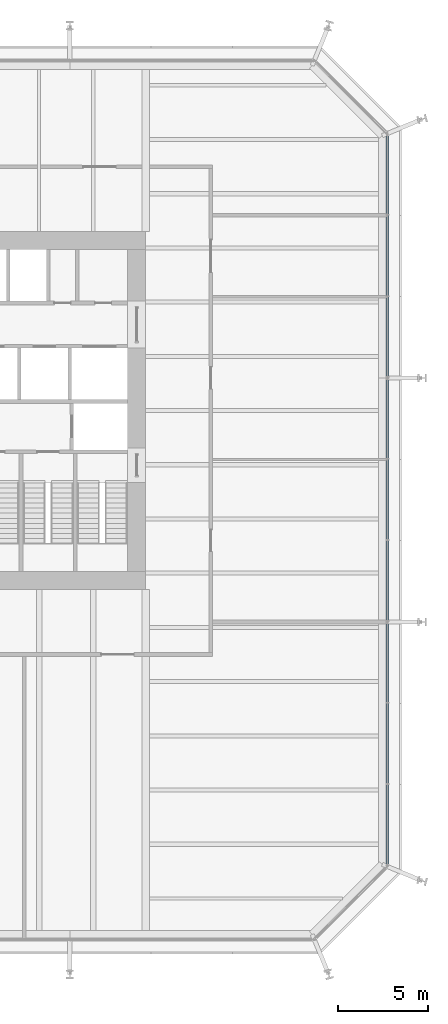
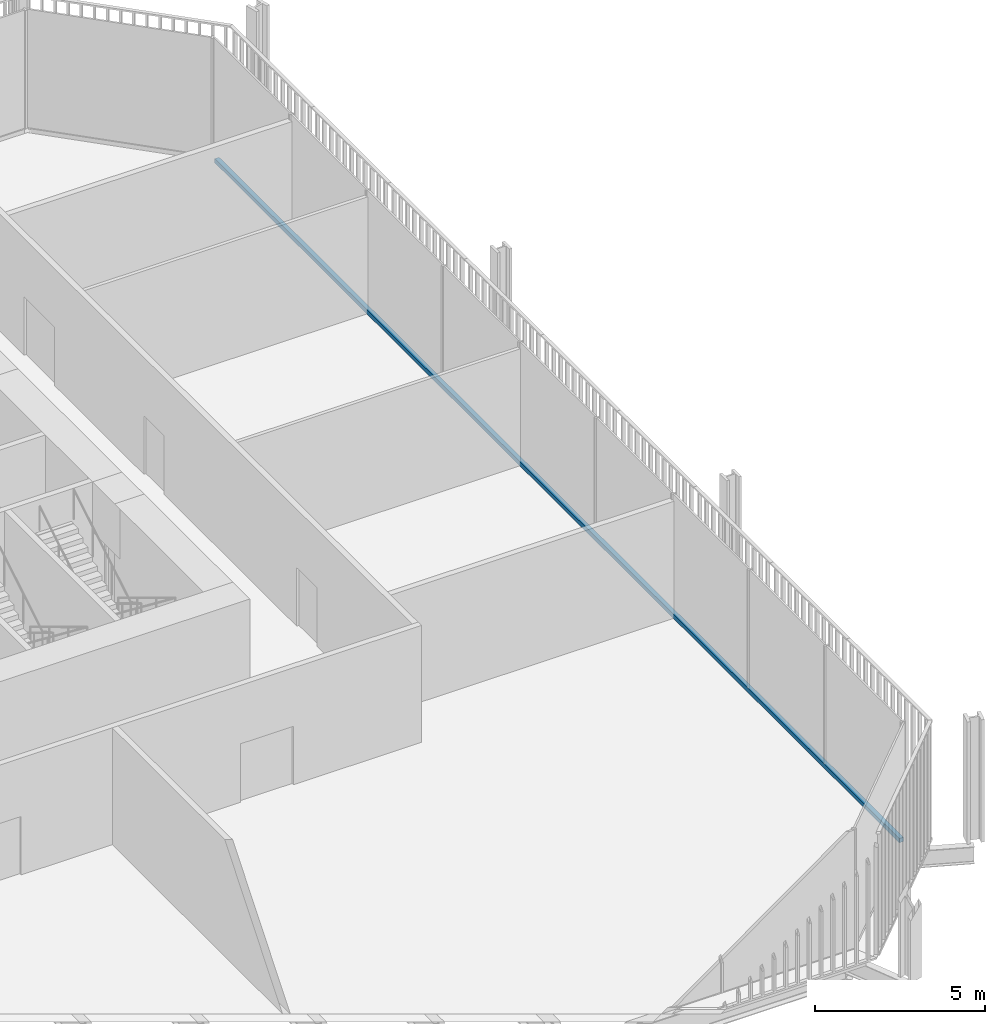
# One storey, part 9 of 20: 1 member, 1 element without a shape of its own.
"""IFC4 building model written with IfcOpenShell, lengths in metres."""

from ifc_helpers import new_model, si_unit, direction, frame, origin, origin_2d, place, context, subcontext, project, spatial, rectangle, extrude, material, layer, layer_set, material_profile, profile_set, type_object, element, aggregate, save


model = new_model("IFC4")

# Units and contexts
model_context = context("Model", 3, precision=1e-05, world=origin(), true_north=direction((0.0, 1.0)))
body_context = subcontext(model_context, "Body", "Model", "MODEL_VIEW")
ifc_project = project(units=[si_unit("LENGTHUNIT", "METRE"), si_unit("AREAUNIT", "SQUARE_METRE"), si_unit("VOLUMEUNIT", "CUBIC_METRE"), si_unit("PLANEANGLEUNIT", "RADIAN"), si_unit("MASSUNIT", "GRAM", prefix="KILO")], contexts=[model_context])

# Site, building, storey
site_placement = place(None, origin())
site = spatial("IfcSite", under=ifc_project, at=site_placement, CompositionType="ELEMENT")
building_placement = place(site_placement, origin())
building = spatial("IfcBuilding", under=site, at=building_placement, Name="Millrace Tower", CompositionType="ELEMENT")
storey_placement = place(building_placement, frame((0.0, 0.0, 86.39990234375)))
storey = spatial("IfcBuildingStorey", under=building, at=storey_placement, Name="L19", CompositionType="ELEMENT", Elevation=86.39990234375)

# Curtain wall, member
ifc_material_1 = material(Name="Aluminium and glass", Category="aluminium")
ifc_layer = layer(ifc_material_1, 0.14990234375)
ifc_layer_set = layer_set([ifc_layer], Name="Aluminium and glass")
curtain_wall_type = type_object("IfcCurtainWallType", Name="CW-3 telecom floor curtain wall", PredefinedType="NOTDEFINED", material=ifc_layer_set)
curtain_wall_placement = place(storey_placement, origin())
curtain_wall = element("IfcCurtainWall", 1, at=curtain_wall_placement, inside=storey, type_object=curtain_wall_type, Name="Curtain wall B-F04 L19", PredefinedType="NOTDEFINED")
ifc_material_2 = material(Name="Aluminium", Category="aluminium")
ifc_material_profile = material_profile(ifc_material_2, rectangle(XDim=0.14990234375, YDim=0.14990234375, at=origin_2d()))
ifc_profile_set = profile_set([ifc_material_profile], Name="Aluminium")
member_type = type_object("IfcMemberType", Name="CW-3 telecom floor curtain wall transom", PredefinedType="USERDEFINED", material=ifc_profile_set)
member_placement = place(storey_placement, frame((28.27490234375, -25.10009765625, 0.0751953125), z_axis=(0.0, 1.0, 0.0), x_axis=(-1.0, 0.0, 0.0)))
member = element("IfcMember", 2, at=member_placement, type_object=member_type, Name="CW3 transom B-F04.1", ObjectType="TRANSOM", PredefinedType="USERDEFINED", context=body_context, shape_type="SweptSolid", body=[
    extrude(rectangle(XDim=0.14990234375, YDim=0.14990234375, at=origin_2d()), origin(), (0.0, 0.0, 1.0), 40.300048828125),
])
aggregate(curtain_wall, [member])

save(model, "model.ifc")
